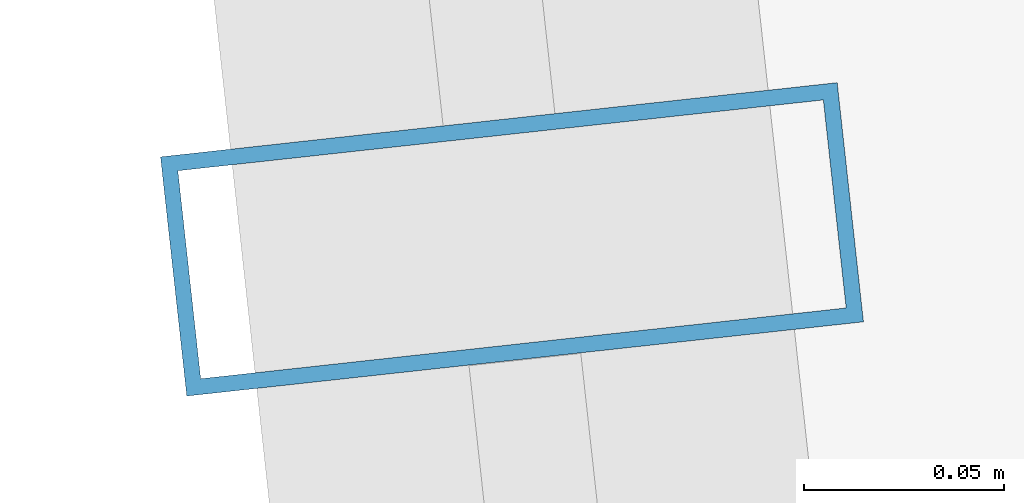
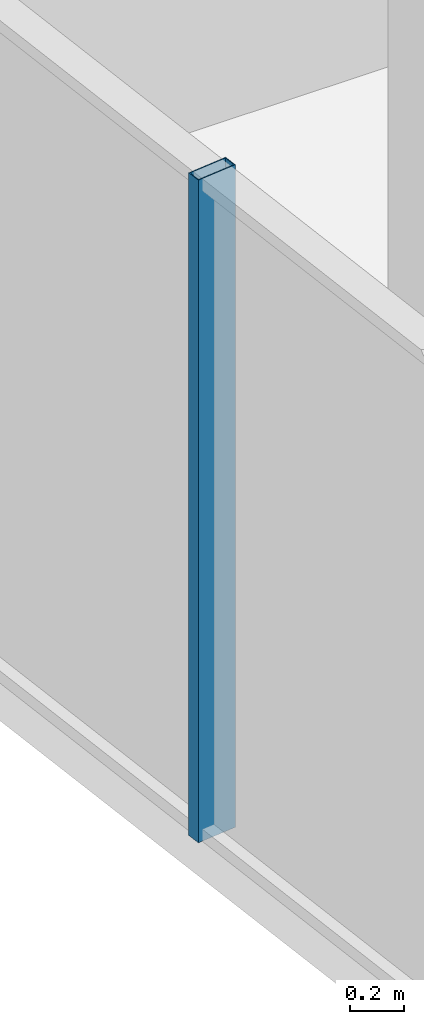
# One storey, part 9 of 34: 1 member, 1 element without a shape of its own.
"""IFC4 building model written with IfcOpenShell, lengths in metres."""

from ifc_helpers import new_model, si_unit, direction, frame, origin, origin_2d, place, context, subcontext, project, spatial, hollow_rectangle, extrude, source, transform, mapped, material, layer, layer_set, material_profile, profile_set, type_object, element, aggregate, save


model = new_model("IFC4")

# Units and contexts
model_context = context("Model", 3, precision=1e-05, world=origin(), true_north=direction((0.0, 1.0)))
body_context = subcontext(model_context, "Body", "Model", "MODEL_VIEW")
ifc_project = project(units=[si_unit("LENGTHUNIT", "METRE"), si_unit("AREAUNIT", "SQUARE_METRE"), si_unit("VOLUMEUNIT", "CUBIC_METRE"), si_unit("PLANEANGLEUNIT", "RADIAN"), si_unit("MASSUNIT", "GRAM", prefix="KILO")], contexts=[model_context])

# Site, building, storey
site_placement = place(None, origin())
site = spatial("IfcSite", under=ifc_project, at=site_placement, CompositionType="ELEMENT")
building_placement = place(site_placement, origin())
building = spatial("IfcBuilding", under=site, at=building_placement, Name="Veraguas Prism Commons", CompositionType="ELEMENT")
storey_placement = place(building_placement, frame((0.0, 0.0, 149.0)))
storey = spatial("IfcBuildingStorey", under=building, at=storey_placement, Name="L42", CompositionType="ELEMENT", Elevation=149.0)

# Curtain wall, member
ifc_material = material(Name="Anodised aluminium EN AW-6063 T6", Category="aluminium")
ifc_layer = layer(ifc_material, 0.169921875, Name="Unitised Flush Curtain Wall Zone 2", Category="aluminium")
ifc_layer_set = layer_set([ifc_layer], Name="Anodised aluminium EN AW-6063 T6")
curtain_wall_type = type_object("IfcCurtainWallType", Name="Unitised Flush Curtain Wall Zone 2", PredefinedType="NOTDEFINED", material=ifc_layer_set)
curtain_wall_placement = place(storey_placement, origin())
curtain_wall = element("IfcCurtainWall", 1, at=curtain_wall_placement, inside=storey, type_object=curtain_wall_type, Name="Tower Facade Curtain Wall L42-F3", PredefinedType="NOTDEFINED")
ifc_material_profile = material_profile(ifc_material, hollow_rectangle(XDim=0.06005859375, YDim=0.169921875, WallThickness=0.00390625, at=origin_2d()), Name="AL60X170X4")
ifc_profile_set = profile_set([ifc_material_profile], Name="Anodised aluminium EN AW-6063 T6")
member_type = type_object("IfcMemberType", Name="Curtain Wall Mullion Lower AL 60x170x4", PredefinedType="MULLION", material=ifc_profile_set)
shared_shape = source(origin(), body_context, "Body", "SweptSolid", [
    extrude(hollow_rectangle(XDim=0.06005859375, YDim=0.169921875, WallThickness=0.00390625, at=origin_2d()), origin(), (0.0, 0.0, 1.0), 3.0),
])
member_placement = place(storey_placement, frame((4.931884765625, 21.908447265625, 0.0), z_axis=(0.0, 0.0, 1.0), x_axis=(0.109043838598, -0.994036941599, 0.0)))
member = element("IfcMember", 2, at=member_placement, type_object=member_type, Name="CW-Z2 Mullion 3", PredefinedType="MULLION", context=body_context, shape_type="MappedRepresentation", body=[
    mapped(shared_shape, transform((0.0, 0.0, 0.0), scale=1.0)),
])
aggregate(curtain_wall, [member])

save(model, "model.ifc")
